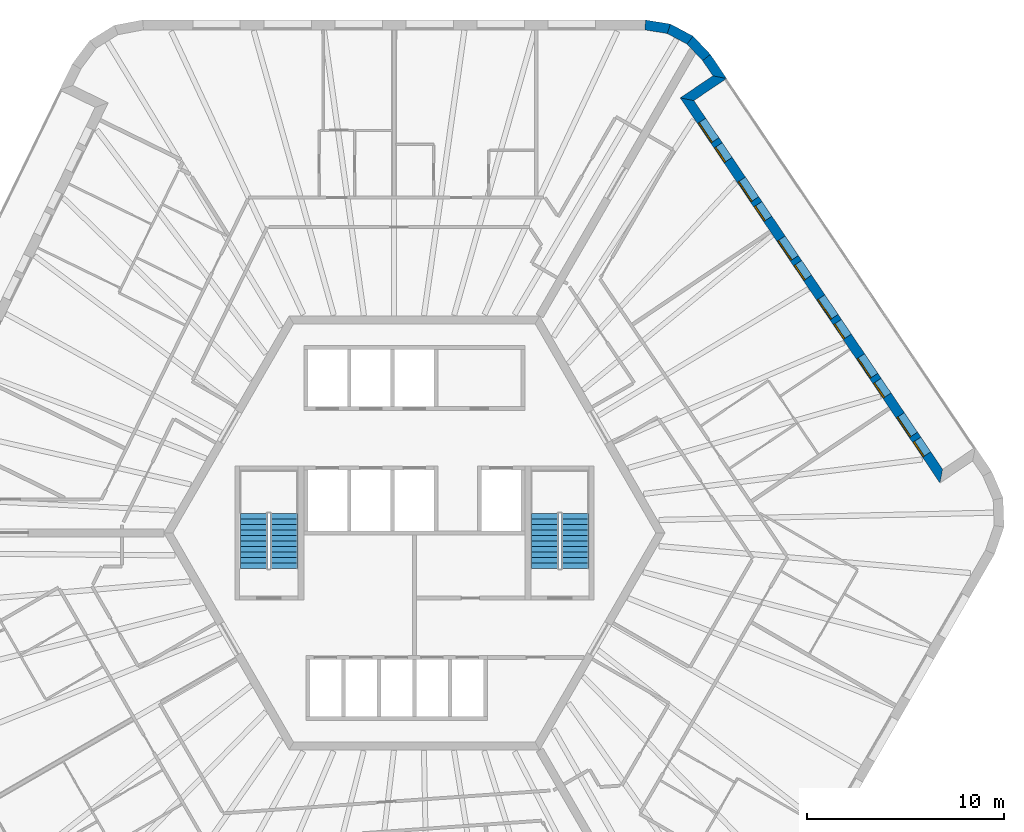
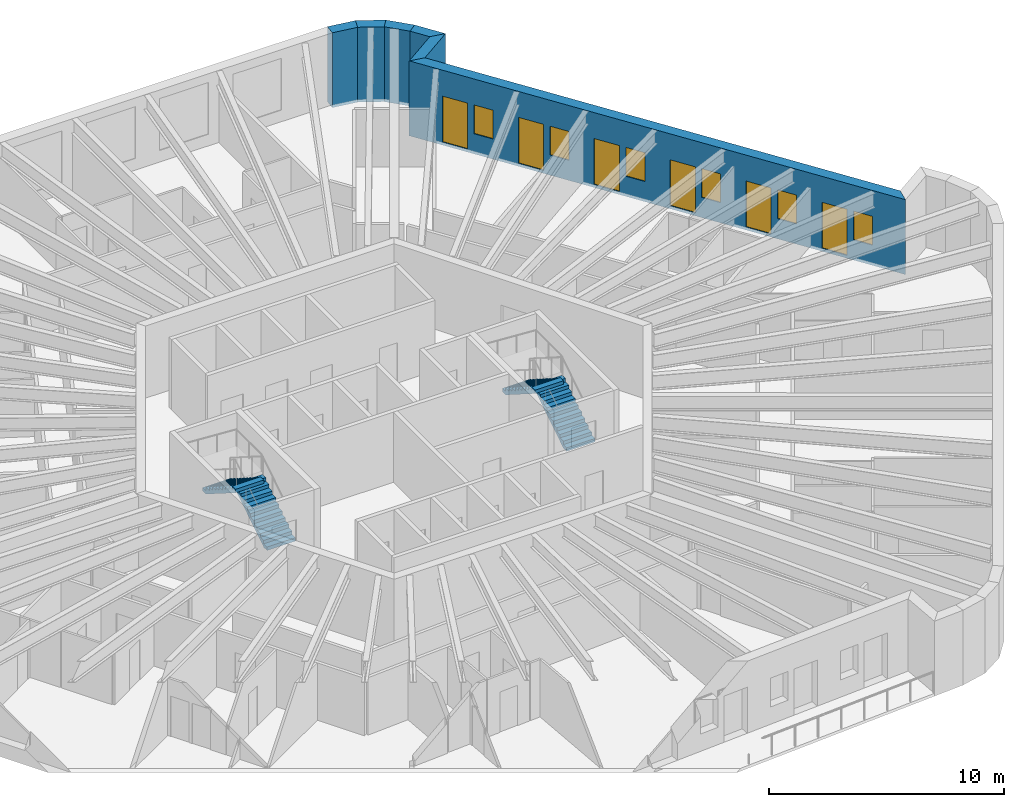
# One storey, part 11 of 12: 6 doors, 6 walls, 6 windows, 4 stair flights, 12 openings, 2 elements without a shape of their own.
"""IFC4 building model written with IfcOpenShell, lengths in metres."""

from ifc_helpers import new_model, si_unit, direction, frame, frame_2d, origin, place, context, subcontext, project, spatial, polyline, rectangle, outline, extrude, material, layer, layer_set, type_object, element, fill, aggregate, save


model = new_model("IFC4")

# Units and contexts
model_context = context("Model", 3, precision=1e-05, world=origin(), true_north=direction((0.0, 1.0)))
body_context = subcontext(model_context, "Body", "Model", "MODEL_VIEW")
ifc_project = project(units=[si_unit("LENGTHUNIT", "METRE"), si_unit("AREAUNIT", "SQUARE_METRE"), si_unit("VOLUMEUNIT", "CUBIC_METRE"), si_unit("PLANEANGLEUNIT", "RADIAN"), si_unit("MASSUNIT", "GRAM", prefix="KILO")], contexts=[model_context])

# Site, building, storey
site_placement = place(None, origin())
site = spatial("IfcSite", under=ifc_project, at=site_placement, CompositionType="ELEMENT")
building_placement = place(site_placement, origin())
building = spatial("IfcBuilding", under=site, at=building_placement, Name="Tarnside Tower", CompositionType="ELEMENT")
storey_placement = place(building_placement, frame((0.0, 0.0, 295.199951171875)))
storey = spatial("IfcBuildingStorey", under=building, at=storey_placement, Name="L71", CompositionType="ELEMENT", Elevation=295.199951171875)

# Wall, openings, doors, windows
ifc_material_1 = material(Name="Dark zinc cladding")
ifc_layer_1 = layer(ifc_material_1, 0.10205078125)
ifc_material_2 = material(Name="Concrete C60/75 precast", Category="concrete")
ifc_layer_2 = layer(ifc_material_2, 0.298095703125)
ifc_material_3 = material(Name="Mineral wool insulation")
ifc_layer_3 = layer(ifc_material_3, 0.10009765625)
ifc_layer_set_1 = layer_set([ifc_layer_1, ifc_layer_2, ifc_layer_3], Name="Loggia wall 500 zinc faced")
wall_type_1 = type_object("IfcWallType", Name="Loggia wall 500 zinc faced", PredefinedType="SOLIDWALL", material=ifc_layer_set_1)
wall_1_placement = place(storey_placement, frame((26.705810546875, 2.87890625, -0.14990234375), z_axis=(0.0, 0.0, 1.0), x_axis=(-0.559197891507, 0.829034208061, 0.0)))
wall_1 = element("IfcWall", 1, at=wall_1_placement, inside=storey, type_object=wall_type_1, Name="Tube wall L71 F6 back 30", PredefinedType="SOLIDWALL", context=body_context, shape_type="SweptSolid", body=[
    extrude(outline(polyline([(0.25, -0.25), (22.794677734375, -0.25), (23.294677734375, 0.25), (-0.25, 0.25), (0.25, -0.25)])), origin(), (0.0, 0.0, 1.0), 3.89990234375),
])
opening_1_placement = place(wall_1_placement, frame((1.322509765625, 0.0, 1.050048828125)))
opening_1 = element("IfcOpeningElement", 2, at=opening_1_placement, cuts=wall_1, Name="Opening WL500", PredefinedType="OPENING", context=body_context, shape_type="SweptSolid", body=[
    extrude(rectangle(XDim=0.89990234375, YDim=1.5, at=frame_2d((0.449951171875, 0.75))), frame((0.0, 0.260009765625, 0.0), z_axis=(0.0, -1.0, 0.0), x_axis=(1.0, 0.0, 0.0)), (0.0, 0.0, 1.0), 0.52001953125),
])
opening_2_placement = place(wall_1_placement, frame((2.5224609375, 0.0, 0.14990234375)))
opening_2 = element("IfcOpeningElement", 3, at=opening_2_placement, cuts=wall_1, Name="Opening DB500", PredefinedType="OPENING", context=body_context, shape_type="SweptSolid", body=[
    extrude(rectangle(XDim=1.199951171875, YDim=2.39990234375, at=frame_2d((0.60009765625, 1.199951171875))), frame((0.0, 0.260009765625, 0.0), z_axis=(0.0, -1.0, 0.0), x_axis=(1.0, 0.0, 0.0)), (0.0, 0.0, 1.0), 0.52001953125),
])
opening_3_placement = place(wall_1_placement, frame((4.92236328125, 0.0, 1.050048828125)))
opening_3 = element("IfcOpeningElement", 4, at=opening_3_placement, cuts=wall_1, Name="Opening WL500", PredefinedType="OPENING", context=body_context, shape_type="SweptSolid", body=[
    extrude(rectangle(XDim=0.89990234375, YDim=1.5, at=frame_2d((0.449951171875, 0.75))), frame((0.0, 0.260009765625, 0.0), z_axis=(0.0, -1.0, 0.0), x_axis=(1.0, 0.0, 0.0)), (0.0, 0.0, 1.0), 0.52001953125),
])
opening_4_placement = place(wall_1_placement, frame((6.122314453125, 0.0, 0.14990234375)))
opening_4 = element("IfcOpeningElement", 5, at=opening_4_placement, cuts=wall_1, Name="Opening DB500", PredefinedType="OPENING", context=body_context, shape_type="SweptSolid", body=[
    extrude(rectangle(XDim=1.199951171875, YDim=2.39990234375, at=frame_2d((0.60009765625, 1.199951171875))), frame((0.0, 0.260009765625, 0.0), z_axis=(0.0, -1.0, 0.0), x_axis=(1.0, 0.0, 0.0)), (0.0, 0.0, 1.0), 0.52001953125),
])
opening_5_placement = place(wall_1_placement, frame((8.5224609375, 0.0, 1.050048828125)))
opening_5 = element("IfcOpeningElement", 6, at=opening_5_placement, cuts=wall_1, Name="Opening WL500", PredefinedType="OPENING", context=body_context, shape_type="SweptSolid", body=[
    extrude(rectangle(XDim=0.89990234375, YDim=1.5, at=frame_2d((0.449951171875, 0.75))), frame((0.0, 0.260009765625, 0.0), z_axis=(0.0, -1.0, 0.0), x_axis=(1.0, 0.0, 0.0)), (0.0, 0.0, 1.0), 0.52001953125),
])
opening_6_placement = place(wall_1_placement, frame((9.722412109375, 0.0, 0.14990234375)))
opening_6 = element("IfcOpeningElement", 7, at=opening_6_placement, cuts=wall_1, Name="Opening DB500", PredefinedType="OPENING", context=body_context, shape_type="SweptSolid", body=[
    extrude(rectangle(XDim=1.199951171875, YDim=2.39990234375, at=frame_2d((0.60009765625, 1.199951171875))), frame((0.0, 0.260009765625, 0.0), z_axis=(0.0, -1.0, 0.0), x_axis=(1.0, 0.0, 0.0)), (0.0, 0.0, 1.0), 0.52001953125),
])
opening_7_placement = place(wall_1_placement, frame((12.122314453125, 0.0, 1.050048828125)))
opening_7 = element("IfcOpeningElement", 8, at=opening_7_placement, cuts=wall_1, Name="Opening WL500", PredefinedType="OPENING", context=body_context, shape_type="SweptSolid", body=[
    extrude(rectangle(XDim=0.89990234375, YDim=1.5, at=frame_2d((0.449951171875, 0.75))), frame((0.0, 0.260009765625, 0.0), z_axis=(0.0, -1.0, 0.0), x_axis=(1.0, 0.0, 0.0)), (0.0, 0.0, 1.0), 0.52001953125),
])
opening_8_placement = place(wall_1_placement, frame((13.322509765625, 0.0, 0.14990234375)))
opening_8 = element("IfcOpeningElement", 9, at=opening_8_placement, cuts=wall_1, Name="Opening DB500", PredefinedType="OPENING", context=body_context, shape_type="SweptSolid", body=[
    extrude(rectangle(XDim=1.199951171875, YDim=2.39990234375, at=frame_2d((0.60009765625, 1.199951171875))), frame((0.0, 0.260009765625, 0.0), z_axis=(0.0, -1.0, 0.0), x_axis=(1.0, 0.0, 0.0)), (0.0, 0.0, 1.0), 0.52001953125),
])
opening_9_placement = place(wall_1_placement, frame((15.722412109375, 0.0, 1.050048828125)))
opening_9 = element("IfcOpeningElement", 10, at=opening_9_placement, cuts=wall_1, Name="Opening WL500", PredefinedType="OPENING", context=body_context, shape_type="SweptSolid", body=[
    extrude(rectangle(XDim=0.89990234375, YDim=1.5, at=frame_2d((0.449951171875, 0.75))), frame((0.0, 0.260009765625, 0.0), z_axis=(0.0, -1.0, 0.0), x_axis=(1.0, 0.0, 0.0)), (0.0, 0.0, 1.0), 0.52001953125),
])
opening_10_placement = place(wall_1_placement, frame((16.92236328125, 0.0, 0.14990234375)))
opening_10 = element("IfcOpeningElement", 11, at=opening_10_placement, cuts=wall_1, Name="Opening DB500", PredefinedType="OPENING", context=body_context, shape_type="SweptSolid", body=[
    extrude(rectangle(XDim=1.199951171875, YDim=2.39990234375, at=frame_2d((0.60009765625, 1.199951171875))), frame((0.0, 0.260009765625, 0.0), z_axis=(0.0, -1.0, 0.0), x_axis=(1.0, 0.0, 0.0)), (0.0, 0.0, 1.0), 0.52001953125),
])
opening_11_placement = place(wall_1_placement, frame((19.322509765625, 0.0, 1.050048828125)))
opening_11 = element("IfcOpeningElement", 12, at=opening_11_placement, cuts=wall_1, Name="Opening WL500", PredefinedType="OPENING", context=body_context, shape_type="SweptSolid", body=[
    extrude(rectangle(XDim=0.89990234375, YDim=1.5, at=frame_2d((0.449951171875, 0.75))), frame((0.0, 0.260009765625, 0.0), z_axis=(0.0, -1.0, 0.0), x_axis=(1.0, 0.0, 0.0)), (0.0, 0.0, 1.0), 0.52001953125),
])
opening_12_placement = place(wall_1_placement, frame((20.5224609375, 0.0, 0.14990234375)))
opening_12 = element("IfcOpeningElement", 13, at=opening_12_placement, cuts=wall_1, Name="Opening DB500", PredefinedType="OPENING", context=body_context, shape_type="SweptSolid", body=[
    extrude(rectangle(XDim=1.199951171875, YDim=2.39990234375, at=frame_2d((0.60009765625, 1.199951171875))), frame((0.0, 0.260009765625, 0.0), z_axis=(0.0, -1.0, 0.0), x_axis=(1.0, 0.0, 0.0)), (0.0, 0.0, 1.0), 0.52001953125),
])
ifc_material_4 = material(Name="Aluminium-framed double glazing", Category="aluminium")
door_type = type_object("IfcDoorType", Name="Balcony sliding door 1200 x 2400 in 500 wall", OperationType="SLIDING_TO_LEFT", PredefinedType="DOOR", material=ifc_material_4)
door_1_placement = place(opening_2_placement, frame((0.0, 0.1748046875, 0.0)))
door_1 = element("IfcDoor", 14, at=door_1_placement, inside=storey, type_object=door_type, Name="E.BD.L71.F6.00", OperationType="SLIDING_TO_LEFT", OverallHeight=2.39990234375, OverallWidth=1.199951171875, PredefinedType="DOOR", context=body_context, shape_type="SweptSolid", body=[
    extrude(rectangle(XDim=1.199951171875, YDim=2.39990234375, at=frame_2d((0.60009765625, 1.199951171875))), frame((0.0, 0.02490234375, 0.0), z_axis=(0.0, -1.0, 0.0), x_axis=(1.0, 0.0, 0.0)), (0.0, 0.0, 1.0), 0.050048828125),
])
fill(opening_2, door_1)
door_2_placement = place(opening_4_placement, frame((0.0, 0.1748046875, 0.0)))
door_2 = element("IfcDoor", 15, at=door_2_placement, inside=storey, type_object=door_type, Name="E.BD.L71.F6.01", OperationType="SLIDING_TO_LEFT", OverallHeight=2.39990234375, OverallWidth=1.199951171875, PredefinedType="DOOR", context=body_context, shape_type="SweptSolid", body=[
    extrude(rectangle(XDim=1.199951171875, YDim=2.39990234375, at=frame_2d((0.60009765625, 1.199951171875))), frame((0.0, 0.02490234375, 0.0), z_axis=(0.0, -1.0, 0.0), x_axis=(1.0, 0.0, 0.0)), (0.0, 0.0, 1.0), 0.050048828125),
])
fill(opening_4, door_2)
door_3_placement = place(opening_6_placement, frame((0.0, 0.1748046875, 0.0)))
door_3 = element("IfcDoor", 16, at=door_3_placement, inside=storey, type_object=door_type, Name="E.BD.L71.F6.02", OperationType="SLIDING_TO_LEFT", OverallHeight=2.39990234375, OverallWidth=1.199951171875, PredefinedType="DOOR", context=body_context, shape_type="SweptSolid", body=[
    extrude(rectangle(XDim=1.199951171875, YDim=2.39990234375, at=frame_2d((0.60009765625, 1.199951171875))), frame((0.0, 0.02490234375, 0.0), z_axis=(0.0, -1.0, 0.0), x_axis=(1.0, 0.0, 0.0)), (0.0, 0.0, 1.0), 0.050048828125),
])
fill(opening_6, door_3)
door_4_placement = place(opening_8_placement, frame((0.0, 0.1748046875, 0.0)))
door_4 = element("IfcDoor", 17, at=door_4_placement, inside=storey, type_object=door_type, Name="E.BD.L71.F6.03", OperationType="SLIDING_TO_LEFT", OverallHeight=2.39990234375, OverallWidth=1.199951171875, PredefinedType="DOOR", context=body_context, shape_type="SweptSolid", body=[
    extrude(rectangle(XDim=1.199951171875, YDim=2.39990234375, at=frame_2d((0.60009765625, 1.199951171875))), frame((0.0, 0.02490234375, 0.0), z_axis=(0.0, -1.0, 0.0), x_axis=(1.0, 0.0, 0.0)), (0.0, 0.0, 1.0), 0.050048828125),
])
fill(opening_8, door_4)
door_5_placement = place(opening_10_placement, frame((0.0, 0.1748046875, 0.0)))
door_5 = element("IfcDoor", 18, at=door_5_placement, inside=storey, type_object=door_type, Name="E.BD.L71.F6.04", OperationType="SLIDING_TO_LEFT", OverallHeight=2.39990234375, OverallWidth=1.199951171875, PredefinedType="DOOR", context=body_context, shape_type="SweptSolid", body=[
    extrude(rectangle(XDim=1.199951171875, YDim=2.39990234375, at=frame_2d((0.60009765625, 1.199951171875))), frame((0.0, 0.02490234375, 0.0), z_axis=(0.0, -1.0, 0.0), x_axis=(1.0, 0.0, 0.0)), (0.0, 0.0, 1.0), 0.050048828125),
])
fill(opening_10, door_5)
door_6_placement = place(opening_12_placement, frame((0.0, 0.1748046875, 0.0)))
door_6 = element("IfcDoor", 19, at=door_6_placement, inside=storey, type_object=door_type, Name="E.BD.L71.F6.05", OperationType="SLIDING_TO_LEFT", OverallHeight=2.39990234375, OverallWidth=1.199951171875, PredefinedType="DOOR", context=body_context, shape_type="SweptSolid", body=[
    extrude(rectangle(XDim=1.199951171875, YDim=2.39990234375, at=frame_2d((0.60009765625, 1.199951171875))), frame((0.0, 0.02490234375, 0.0), z_axis=(0.0, -1.0, 0.0), x_axis=(1.0, 0.0, 0.0)), (0.0, 0.0, 1.0), 0.050048828125),
])
fill(opening_12, door_6)
window_type = type_object("IfcWindowType", Name="Loggia window 900 x 1500 in 500 wall", PartitioningType="SINGLE_PANEL", PredefinedType="WINDOW", material=ifc_material_4)
window_1_placement = place(opening_1_placement, frame((0.0, 0.179931640625, 0.0)))
window_1 = element("IfcWindow", 20, at=window_1_placement, inside=storey, type_object=window_type, Name="E.LW.L71.F6.00", OverallHeight=1.5, OverallWidth=0.89990234375, PartitioningType="SINGLE_PANEL", PredefinedType="WINDOW", context=body_context, shape_type="SweptSolid", body=[
    extrude(rectangle(XDim=0.89990234375, YDim=1.5, at=frame_2d((0.449951171875, 0.75))), frame((0.0, 0.030029296875, 0.0), z_axis=(0.0, -1.0, 0.0), x_axis=(1.0, 0.0, 0.0)), (0.0, 0.0, 1.0), 0.06005859375),
])
fill(opening_1, window_1)
window_2_placement = place(opening_3_placement, frame((0.0, 0.179931640625, 0.0)))
window_2 = element("IfcWindow", 21, at=window_2_placement, inside=storey, type_object=window_type, Name="E.LW.L71.F6.01", OverallHeight=1.5, OverallWidth=0.89990234375, PartitioningType="SINGLE_PANEL", PredefinedType="WINDOW", context=body_context, shape_type="SweptSolid", body=[
    extrude(rectangle(XDim=0.89990234375, YDim=1.5, at=frame_2d((0.449951171875, 0.75))), frame((0.0, 0.030029296875, 0.0), z_axis=(0.0, -1.0, 0.0), x_axis=(1.0, 0.0, 0.0)), (0.0, 0.0, 1.0), 0.06005859375),
])
fill(opening_3, window_2)
window_3_placement = place(opening_5_placement, frame((0.0, 0.179931640625, 0.0)))
window_3 = element("IfcWindow", 22, at=window_3_placement, inside=storey, type_object=window_type, Name="E.LW.L71.F6.02", OverallHeight=1.5, OverallWidth=0.89990234375, PartitioningType="SINGLE_PANEL", PredefinedType="WINDOW", context=body_context, shape_type="SweptSolid", body=[
    extrude(rectangle(XDim=0.89990234375, YDim=1.5, at=frame_2d((0.449951171875, 0.75))), frame((0.0, 0.030029296875, 0.0), z_axis=(0.0, -1.0, 0.0), x_axis=(1.0, 0.0, 0.0)), (0.0, 0.0, 1.0), 0.06005859375),
])
fill(opening_5, window_3)
window_4_placement = place(opening_7_placement, frame((0.0, 0.179931640625, 0.0)))
window_4 = element("IfcWindow", 23, at=window_4_placement, inside=storey, type_object=window_type, Name="E.LW.L71.F6.03", OverallHeight=1.5, OverallWidth=0.89990234375, PartitioningType="SINGLE_PANEL", PredefinedType="WINDOW", context=body_context, shape_type="SweptSolid", body=[
    extrude(rectangle(XDim=0.89990234375, YDim=1.5, at=frame_2d((0.449951171875, 0.75))), frame((0.0, 0.030029296875, 0.0), z_axis=(0.0, -1.0, 0.0), x_axis=(1.0, 0.0, 0.0)), (0.0, 0.0, 1.0), 0.06005859375),
])
fill(opening_7, window_4)
window_5_placement = place(opening_9_placement, frame((0.0, 0.179931640625, 0.0)))
window_5 = element("IfcWindow", 24, at=window_5_placement, inside=storey, type_object=window_type, Name="E.LW.L71.F6.04", OverallHeight=1.5, OverallWidth=0.89990234375, PartitioningType="SINGLE_PANEL", PredefinedType="WINDOW", context=body_context, shape_type="SweptSolid", body=[
    extrude(rectangle(XDim=0.89990234375, YDim=1.5, at=frame_2d((0.449951171875, 0.75))), frame((0.0, 0.030029296875, 0.0), z_axis=(0.0, -1.0, 0.0), x_axis=(1.0, 0.0, 0.0)), (0.0, 0.0, 1.0), 0.06005859375),
])
fill(opening_9, window_5)
window_6_placement = place(opening_11_placement, frame((0.0, 0.179931640625, 0.0)))
window_6 = element("IfcWindow", 25, at=window_6_placement, inside=storey, type_object=window_type, Name="E.LW.L71.F6.05", OverallHeight=1.5, OverallWidth=0.89990234375, PartitioningType="SINGLE_PANEL", PredefinedType="WINDOW", context=body_context, shape_type="SweptSolid", body=[
    extrude(rectangle(XDim=0.89990234375, YDim=1.5, at=frame_2d((0.449951171875, 0.75))), frame((0.0, 0.030029296875, 0.0), z_axis=(0.0, -1.0, 0.0), x_axis=(1.0, 0.0, 0.0)), (0.0, 0.0, 1.0), 0.06005859375),
])
fill(opening_11, window_6)

# Walls
wall_2_placement = place(storey_placement, frame((13.8193359375, 21.983642578125, -0.14990234375), z_axis=(0.0, 0.0, 1.0), x_axis=(0.829052389485, 0.559170935841, 0.0)))
element("IfcWall", 26, at=wall_2_placement, inside=storey, type_object=wall_type_1, Name="Tube wall L71 F6 return 31", PredefinedType="SOLIDWALL", context=body_context, shape_type="SweptSolid", body=[
    extrude(outline(polyline([(0.25, -0.25), (2.25, -0.25), (1.75, 0.25), (-0.25, 0.25), (0.25, -0.25)])), origin(), (0.0, 0.0, 1.0), 3.89990234375),
])
wall_3_placement = place(storey_placement, frame((15.4775390625, 23.10205078125, -0.14990234375), z_axis=(0.0, 0.0, 1.0), x_axis=(-0.559245726333, 0.829001940636, 0.0)))
element("IfcWall", 27, at=wall_3_placement, inside=storey, type_object=wall_type_1, Name="Tube wall L71 F6 stub 32", PredefinedType="SOLIDWALL", context=body_context, shape_type="SweptSolid", body=[
    extrude(outline(polyline([(-0.25, -0.25), (1.220703125, -0.25), (1.1796875, 0.25), (0.25, 0.25), (-0.25, -0.25)])), origin(), (0.0, 0.0, 1.0), 3.89990234375),
])
ifc_material_5 = material(Name="Facing brick", Category="masonry")
ifc_layer_4 = layer(ifc_material_5, 0.10205078125)
ifc_layer_5 = layer(ifc_material_2, 0.298095703125)
ifc_layer_6 = layer(ifc_material_3, 0.10009765625)
ifc_layer_set_2 = layer_set([ifc_layer_4, ifc_layer_5, ifc_layer_6], Name="Tube wall 500 brick faced")
wall_type_2 = type_object("IfcWallType", Name="Tube wall 500 brick faced", PredefinedType="SOLIDWALL", material=ifc_layer_set_2)
wall_4_placement = place(storey_placement, frame((14.806396484375, 24.096923828125, -0.14990234375), z_axis=(0.0, 0.0, 1.0), x_axis=(-0.686234452793, 0.727380420275, 0.0)))
element("IfcWall", 28, at=wall_4_placement, inside=storey, type_object=wall_type_2, Name="Tube wall L71 F6 chord 33", PredefinedType="SOLIDWALL", context=body_context, shape_type="SweptSolid", body=[
    extrude(outline(polyline([(-0.0205078125, -0.25), (1.25732421875, -0.25), (1.17529296875, 0.25), (0.0205078125, 0.25), (-0.0205078125, -0.25)])), origin(), (0.0, 0.0, 1.0), 3.89990234375),
])
wall_5_placement = place(storey_placement, frame((13.9716796875, 24.981689453125, -0.14990234375), z_axis=(0.0, 0.0, 1.0), x_axis=(-0.882902492938, 0.469556373575, 0.0)))
element("IfcWall", 29, at=wall_5_placement, inside=storey, type_object=wall_type_2, Name="Tube wall L71 F6 chord 34", PredefinedType="SOLIDWALL", context=body_context, shape_type="SweptSolid", body=[
    extrude(outline(polyline([(-0.041015625, -0.25), (1.257080078125, -0.25), (1.175048828125, 0.25), (0.041015625, 0.25), (-0.041015625, -0.25)])), origin(), (0.0, 0.0, 1.0), 3.89990234375),
])
wall_6_placement = place(storey_placement, frame((12.89794921875, 25.552734375, -0.14990234375), z_axis=(0.0, 0.0, 1.0), x_axis=(-0.986765617372, 0.16215306464, 0.0)))
element("IfcWall", 30, at=wall_6_placement, inside=storey, type_object=wall_type_2, Name="Tube wall L71 F6 chord 35", PredefinedType="SOLIDWALL", context=body_context, shape_type="SweptSolid", body=[
    extrude(outline(polyline([(-0.041015625, -0.25), (1.237060546875, -0.25), (1.196044921875, 0.25), (0.041015625, 0.25), (-0.041015625, -0.25)])), origin(), (0.0, 0.0, 1.0), 3.89990234375),
])

# Stair, stair flights
ifc_material_6 = material(Name="Concrete C40/50", Category="concrete")
stair_type = type_object("IfcStairType", Name="Exit stair 1400 clear", PredefinedType="HALF_TURN_STAIR", material=ifc_material_6)
stair_1_placement = place(storey_placement, origin())
stair_1 = element("IfcStair", 31, at=stair_1_placement, inside=storey, type_object=stair_type, Name="L71 Exit stair 1", PredefinedType="HALF_TURN_STAIR")
stair_flight_type = type_object("IfcStairFlightType", Name="Exit stair flight 1400", PredefinedType="STRAIGHT", material=ifc_material_6)
stair_flight_1_placement = place(storey_placement, frame((8.14990234375, -1.800048828125, 0.0), z_axis=(0.0, 0.0, 1.0), x_axis=(0.0, 1.0, 0.0)))
stair_flight_1 = element("IfcStairFlight", 32, at=stair_flight_1_placement, type_object=stair_flight_type, Name="ST1 flight 1", NumberOfRisers=11, NumberOfTreads=10, PredefinedType="STRAIGHT", RiserHeight=0.177272727, TreadLength=0.28, context=body_context, shape_type="SweptSolid", body=[
    extrude(outline(polyline([(0.0, 0.0), (0.0, 0.17724609375), (0.280029296875, 0.17724609375), (0.280029296875, 0.3544921875), (0.56005859375, 0.3544921875), (0.56005859375, 0.53173828125), (0.840087890625, 0.53173828125), (0.840087890625, 0.708984375), (1.1201171875, 0.708984375), (1.1201171875, 0.886474609375), (1.39990234375, 0.886474609375), (1.39990234375, 1.063720703125), (1.679931640625, 1.063720703125), (1.679931640625, 1.240966796875), (1.9599609375, 1.240966796875), (1.9599609375, 1.418212890625), (2.239990234375, 1.418212890625), (2.239990234375, 1.595458984375), (2.52001953125, 1.595458984375), (2.52001953125, 1.772705078125), (2.800048828125, 1.772705078125), (2.800048828125, 1.949951171875), (2.800048828125, 1.59521484375), (0.2802734375, 0.0), (0.0, 0.0)])), frame((0.0, 0.699951171875, 0.0), z_axis=(0.0, -1.0, 0.0), x_axis=(1.0, 0.0, 0.0)), (0.0, 0.0, 1.0), 1.39990234375),
])
stair_flight_2_placement = place(storey_placement, frame((6.60009765625, 1.0, 1.949951171875), z_axis=(0.0, 0.0, 1.0), x_axis=(0.0, -1.0, 0.0)))
stair_flight_2 = element("IfcStairFlight", 33, at=stair_flight_2_placement, type_object=stair_flight_type, Name="ST1 flight 2", NumberOfRisers=11, NumberOfTreads=10, PredefinedType="STRAIGHT", RiserHeight=0.177272727, TreadLength=0.28, context=body_context, shape_type="SweptSolid", body=[
    extrude(outline(polyline([(0.0, 0.0), (0.0, 0.17724609375), (0.280029296875, 0.17724609375), (0.280029296875, 0.3544921875), (0.56005859375, 0.3544921875), (0.56005859375, 0.53173828125), (0.840087890625, 0.53173828125), (0.840087890625, 0.708984375), (1.1201171875, 0.708984375), (1.1201171875, 0.886474609375), (1.39990234375, 0.886474609375), (1.39990234375, 1.063720703125), (1.679931640625, 1.063720703125), (1.679931640625, 1.240966796875), (1.9599609375, 1.240966796875), (1.9599609375, 1.418212890625), (2.239990234375, 1.418212890625), (2.239990234375, 1.595458984375), (2.52001953125, 1.595458984375), (2.52001953125, 1.772705078125), (2.800048828125, 1.772705078125), (2.800048828125, 1.949951171875), (2.800048828125, 1.59521484375), (0.2802734375, 0.0), (0.0, 0.0)])), frame((0.0, 0.699951171875, 0.0), z_axis=(0.0, -1.0, 0.0), x_axis=(1.0, 0.0, 0.0)), (0.0, 0.0, 1.0), 1.39990234375),
])
aggregate(stair_1, [stair_flight_1, stair_flight_2])

stair_2_placement = place(storey_placement, origin())
stair_2 = element("IfcStair", 34, at=stair_2_placement, inside=storey, type_object=stair_type, Name="L71 Exit stair 2", PredefinedType="HALF_TURN_STAIR")
stair_flight_3_placement = place(storey_placement, frame((-6.60009765625, -1.800048828125, 0.0), z_axis=(0.0, 0.0, 1.0), x_axis=(0.0, 1.0, 0.0)))
stair_flight_3 = element("IfcStairFlight", 35, at=stair_flight_3_placement, type_object=stair_flight_type, Name="ST2 flight 1", NumberOfRisers=11, NumberOfTreads=10, PredefinedType="STRAIGHT", RiserHeight=0.177272727, TreadLength=0.28, context=body_context, shape_type="SweptSolid", body=[
    extrude(outline(polyline([(0.0, 0.0), (0.0, 0.17724609375), (0.280029296875, 0.17724609375), (0.280029296875, 0.3544921875), (0.56005859375, 0.3544921875), (0.56005859375, 0.53173828125), (0.840087890625, 0.53173828125), (0.840087890625, 0.708984375), (1.1201171875, 0.708984375), (1.1201171875, 0.886474609375), (1.39990234375, 0.886474609375), (1.39990234375, 1.063720703125), (1.679931640625, 1.063720703125), (1.679931640625, 1.240966796875), (1.9599609375, 1.240966796875), (1.9599609375, 1.418212890625), (2.239990234375, 1.418212890625), (2.239990234375, 1.595458984375), (2.52001953125, 1.595458984375), (2.52001953125, 1.772705078125), (2.800048828125, 1.772705078125), (2.800048828125, 1.949951171875), (2.800048828125, 1.59521484375), (0.2802734375, 0.0), (0.0, 0.0)])), frame((0.0, 0.699951171875, 0.0), z_axis=(0.0, -1.0, 0.0), x_axis=(1.0, 0.0, 0.0)), (0.0, 0.0, 1.0), 1.39990234375),
])
stair_flight_4_placement = place(storey_placement, frame((-8.14990234375, 1.0, 1.949951171875), z_axis=(0.0, 0.0, 1.0), x_axis=(0.0, -1.0, 0.0)))
stair_flight_4 = element("IfcStairFlight", 36, at=stair_flight_4_placement, type_object=stair_flight_type, Name="ST2 flight 2", NumberOfRisers=11, NumberOfTreads=10, PredefinedType="STRAIGHT", RiserHeight=0.177272727, TreadLength=0.28, context=body_context, shape_type="SweptSolid", body=[
    extrude(outline(polyline([(0.0, 0.0), (0.0, 0.17724609375), (0.280029296875, 0.17724609375), (0.280029296875, 0.3544921875), (0.56005859375, 0.3544921875), (0.56005859375, 0.53173828125), (0.840087890625, 0.53173828125), (0.840087890625, 0.708984375), (1.1201171875, 0.708984375), (1.1201171875, 0.886474609375), (1.39990234375, 0.886474609375), (1.39990234375, 1.063720703125), (1.679931640625, 1.063720703125), (1.679931640625, 1.240966796875), (1.9599609375, 1.240966796875), (1.9599609375, 1.418212890625), (2.239990234375, 1.418212890625), (2.239990234375, 1.595458984375), (2.52001953125, 1.595458984375), (2.52001953125, 1.772705078125), (2.800048828125, 1.772705078125), (2.800048828125, 1.949951171875), (2.800048828125, 1.59521484375), (0.2802734375, 0.0), (0.0, 0.0)])), frame((0.0, 0.699951171875, 0.0), z_axis=(0.0, -1.0, 0.0), x_axis=(1.0, 0.0, 0.0)), (0.0, 0.0, 1.0), 1.39990234375),
])
aggregate(stair_2, [stair_flight_3, stair_flight_4])

save(model, "model.ifc")
